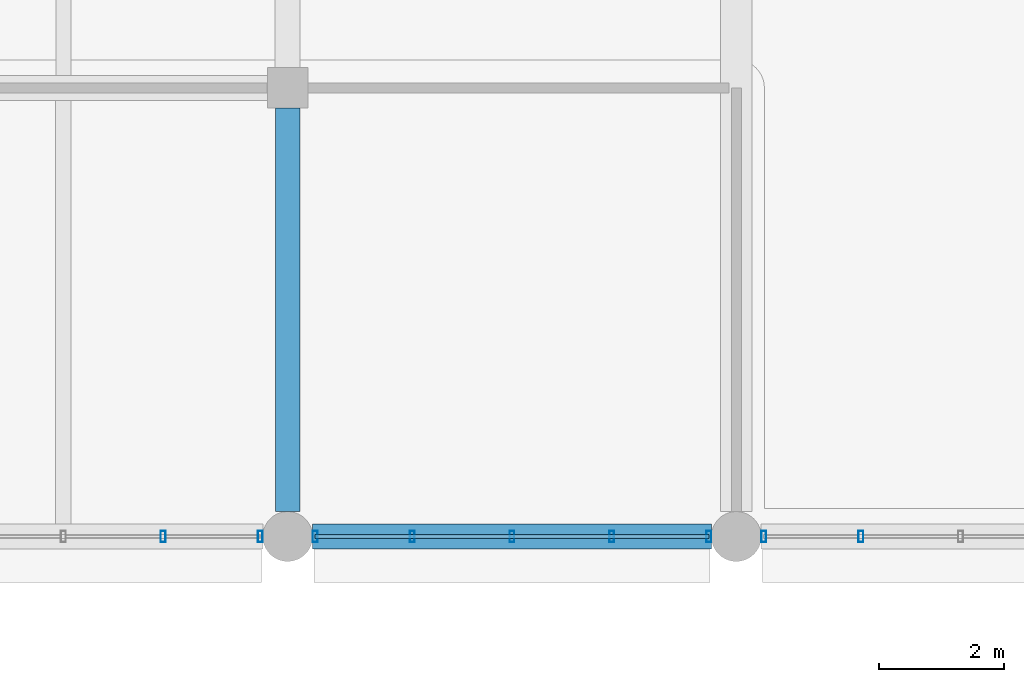
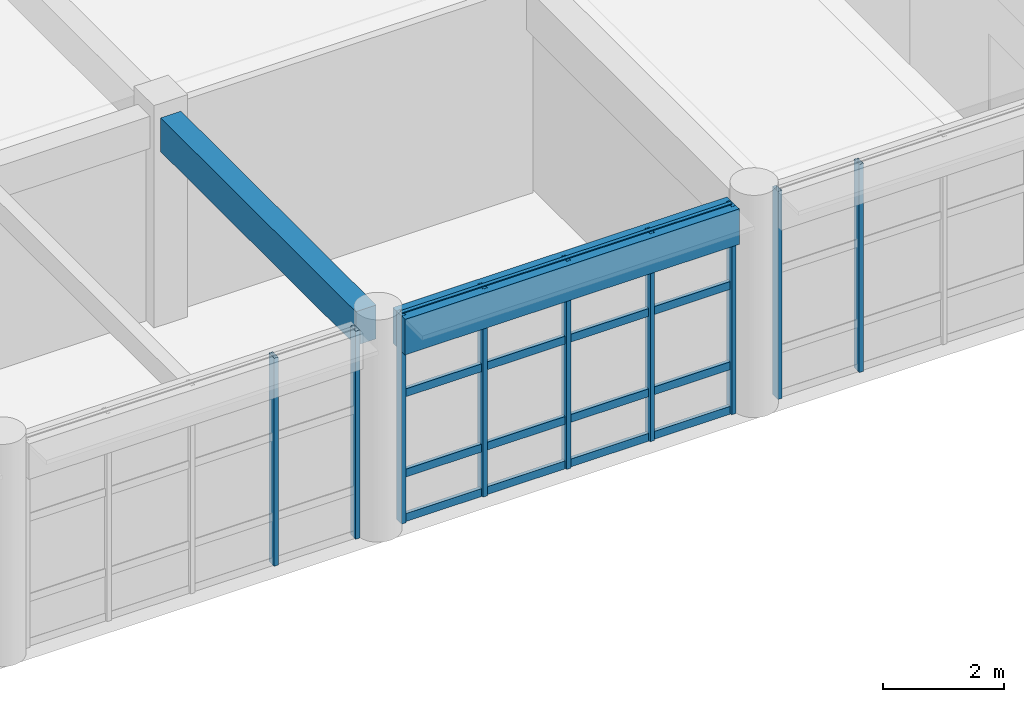
# One storey, part 28 of 171: 13 members, 2 beams, 3 elements without a shape of their own.
"""IFC4 building model written with IfcOpenShell, lengths in metres."""

from ifc_helpers import new_model, si_unit, direction, frame, origin, origin_2d, place, context, subcontext, project, spatial, rectangle, hollow_rectangle, extrude, material, material_profile, profile_set, type_object, element, aggregate, save


model = new_model("IFC4")

# Units and contexts
model_context = context("Model", 3, precision=1e-05, world=origin(), true_north=direction((0.0, 1.0)))
body_context = subcontext(model_context, "Body", "Model", "MODEL_VIEW")
ifc_project = project(units=[si_unit("LENGTHUNIT", "METRE"), si_unit("AREAUNIT", "SQUARE_METRE"), si_unit("VOLUMEUNIT", "CUBIC_METRE"), si_unit("PLANEANGLEUNIT", "RADIAN"), si_unit("MASSUNIT", "GRAM", prefix="KILO")], contexts=[model_context])

# Site, building, storey
site_placement = place(None, origin())
site = spatial("IfcSite", under=ifc_project, at=site_placement, CompositionType="ELEMENT")
building_placement = place(site_placement, origin())
building = spatial("IfcBuilding", under=site, at=building_placement, Name="Thalmaran Polytechnic", CompositionType="ELEMENT")
storey_placement = place(building_placement, frame((0.0, 0.0, 5.39990234375)))
storey = spatial("IfcBuildingStorey", under=building, at=storey_placement, Name="L01", CompositionType="ELEMENT", Elevation=5.39990234375)

# Beams
ifc_material_1 = material(Name="Concrete C40/50", Category="concrete")
ifc_material_profile_1 = material_profile(ifc_material_1, rectangle(XDim=0.389892578125, YDim=0.68505859375, at=origin_2d()), Name="RC 390x685")
ifc_profile_set_1 = profile_set([ifc_material_profile_1], Name="Concrete C40/50")
beam_type_1 = type_object("IfcBeamType", Name="BM-RC08", PredefinedType="BEAM", material=ifc_profile_set_1)
beam_1_placement = place(storey_placement, frame((50.39990234375, 50.800048828125, 3.86767578125), z_axis=(0.0, 1.0, 0.0), x_axis=(-1.0, 0.0, 0.0)))
element("IfcBeam", 1, at=beam_1_placement, inside=storey, type_object=beam_type_1, Name="Grid Beam B08 L01 Y(7,7)", PredefinedType="BEAM", context=body_context, shape_type="SweptSolid", body=[
    extrude(rectangle(XDim=0.389892578125, YDim=0.68505859375, at=origin_2d()), origin(), (0.0, 0.0, 1.0), 6.474853515625),
])
ifc_material_profile_2 = material_profile(ifc_material_1, rectangle(XDim=0.39990234375, YDim=0.719970703125, at=origin_2d()), Name="RC 400x720")
ifc_profile_set_2 = profile_set([ifc_material_profile_2], Name="Concrete C40/50")
beam_type_2 = type_object("IfcBeamType", Name="BM-SP01", PredefinedType="SPANDREL", material=ifc_profile_set_2)
beam_2_placement = place(storey_placement, frame((50.800048828125, 50.39990234375, 3.85009765625), z_axis=(1.0, 0.0, 0.0), x_axis=(0.0, 1.0, 0.0)))
element("IfcBeam", 2, at=beam_2_placement, inside=storey, type_object=beam_type_2, Name="Grid Beam SP01 L01 X(7,7)", PredefinedType="SPANDREL", context=body_context, shape_type="SweptSolid", body=[
    extrude(rectangle(XDim=0.39990234375, YDim=0.719970703125, at=origin_2d()), origin(), (0.0, 0.0, 1.0), 6.39990234375),
])

# Curtain wall, members
ifc_material_2 = material(Name="Aluminium 6063-T6", Category="aluminium")
curtain_wall_type = type_object("IfcCurtainWallType", Name="CW-SC01", PredefinedType="USERDEFINED", material=ifc_material_2)
curtain_wall_1_placement = place(storey_placement, origin())
curtain_wall_1 = element("IfcCurtainWall", 3, at=curtain_wall_1_placement, inside=storey, type_object=curtain_wall_type, Name="Curtain Wall CW-L01-152", ObjectType="STICK CURTAIN WALL", PredefinedType="USERDEFINED")
ifc_material_profile_3 = material_profile(ifc_material_2, hollow_rectangle(XDim=0.080078125, YDim=0.179931640625, WallThickness=0.0048828125, at=origin_2d()), Name="RHS 180x80x5.0")
ifc_profile_set_3 = profile_set([ifc_material_profile_3], Name="Aluminium 6063-T6")
member_type_1 = type_object("IfcMemberType", Name="CW-MUL1", PredefinedType="MULLION", material=ifc_profile_set_3)
member_1_placement = place(storey_placement, frame((59.60009765625, 50.39990234375, 0.0), z_axis=(0.0, 0.0, 1.0), x_axis=(1.0, 0.0, 0.0)))
member_1 = element("IfcMember", 4, at=member_1_placement, type_object=member_type_1, Name="CW-L01-152 Mullion 4", PredefinedType="MULLION", context=body_context, shape_type="SweptSolid", body=[
    extrude(hollow_rectangle(XDim=0.080078125, YDim=0.179931640625, WallThickness=0.0048828125, at=origin_2d()), origin(), (0.0, 0.0, 1.0), 4.210205078125),
])
member_2_placement = place(storey_placement, frame((58.0400390625, 50.39990234375, 0.0), z_axis=(0.0, 0.0, 1.0), x_axis=(1.0, 0.0, 0.0)))
member_2 = element("IfcMember", 5, at=member_2_placement, type_object=member_type_1, Name="CW-L01-152 Mullion 5", PredefinedType="MULLION", context=body_context, shape_type="SweptSolid", body=[
    extrude(hollow_rectangle(XDim=0.080078125, YDim=0.179931640625, WallThickness=0.0048828125, at=origin_2d()), origin(), (0.0, 0.0, 1.0), 4.210205078125),
])
aggregate(curtain_wall_1, [member_1, member_2])

curtain_wall_2_placement = place(storey_placement, origin())
curtain_wall_2 = element("IfcCurtainWall", 6, at=curtain_wall_2_placement, inside=storey, type_object=curtain_wall_type, Name="Curtain Wall CW-L01-153", ObjectType="STICK CURTAIN WALL", PredefinedType="USERDEFINED")
member_3_placement = place(storey_placement, frame((57.159912109375, 50.39990234375, 0.0), z_axis=(0.0, 0.0, 1.0), x_axis=(1.0, 0.0, 0.0)))
member_3 = element("IfcMember", 7, at=member_3_placement, type_object=member_type_1, Name="CW-L01-153 Mullion 1", PredefinedType="MULLION", context=body_context, shape_type="SweptSolid", body=[
    extrude(hollow_rectangle(XDim=0.080078125, YDim=0.179931640625, WallThickness=0.0048828125, at=origin_2d()), origin(), (0.0, 0.0, 1.0), 4.210205078125),
])
member_4_placement = place(storey_placement, frame((55.60009765625, 50.39990234375, 0.0), z_axis=(0.0, 0.0, 1.0), x_axis=(1.0, 0.0, 0.0)))
member_4 = element("IfcMember", 8, at=member_4_placement, type_object=member_type_1, Name="CW-L01-153 Mullion 2", PredefinedType="MULLION", context=body_context, shape_type="SweptSolid", body=[
    extrude(hollow_rectangle(XDim=0.080078125, YDim=0.179931640625, WallThickness=0.0048828125, at=origin_2d()), origin(), (0.0, 0.0, 1.0), 4.210205078125),
])
member_5_placement = place(storey_placement, frame((54.0, 50.39990234375, 0.0), z_axis=(0.0, 0.0, 1.0), x_axis=(1.0, 0.0, 0.0)))
member_5 = element("IfcMember", 9, at=member_5_placement, type_object=member_type_1, Name="CW-L01-153 Mullion 3", PredefinedType="MULLION", context=body_context, shape_type="SweptSolid", body=[
    extrude(hollow_rectangle(XDim=0.080078125, YDim=0.179931640625, WallThickness=0.0048828125, at=origin_2d()), origin(), (0.0, 0.0, 1.0), 4.210205078125),
])
member_6_placement = place(storey_placement, frame((52.39990234375, 50.39990234375, 0.0), z_axis=(0.0, 0.0, 1.0), x_axis=(1.0, 0.0, 0.0)))
member_6 = element("IfcMember", 10, at=member_6_placement, type_object=member_type_1, Name="CW-L01-153 Mullion 4", PredefinedType="MULLION", context=body_context, shape_type="SweptSolid", body=[
    extrude(hollow_rectangle(XDim=0.080078125, YDim=0.179931640625, WallThickness=0.0048828125, at=origin_2d()), origin(), (0.0, 0.0, 1.0), 4.210205078125),
])
member_7_placement = place(storey_placement, frame((50.840087890625, 50.39990234375, 0.0), z_axis=(0.0, 0.0, 1.0), x_axis=(1.0, 0.0, 0.0)))
member_7 = element("IfcMember", 11, at=member_7_placement, type_object=member_type_1, Name="CW-L01-153 Mullion 5", PredefinedType="MULLION", context=body_context, shape_type="SweptSolid", body=[
    extrude(hollow_rectangle(XDim=0.080078125, YDim=0.179931640625, WallThickness=0.0048828125, at=origin_2d()), origin(), (0.0, 0.0, 1.0), 4.210205078125),
])

curtain_wall_3_placement = place(storey_placement, origin())
curtain_wall_3 = element("IfcCurtainWall", 12, at=curtain_wall_3_placement, inside=storey, type_object=curtain_wall_type, Name="Curtain Wall CW-L01-154", ObjectType="STICK CURTAIN WALL", PredefinedType="USERDEFINED")
member_8_placement = place(storey_placement, frame((49.9599609375, 50.39990234375, 0.0), z_axis=(0.0, 0.0, 1.0), x_axis=(1.0, 0.0, 0.0)))
member_8 = element("IfcMember", 13, at=member_8_placement, type_object=member_type_1, Name="CW-L01-154 Mullion 1", PredefinedType="MULLION", context=body_context, shape_type="SweptSolid", body=[
    extrude(hollow_rectangle(XDim=0.080078125, YDim=0.179931640625, WallThickness=0.0048828125, at=origin_2d()), origin(), (0.0, 0.0, 1.0), 4.210205078125),
])
member_9_placement = place(storey_placement, frame((48.39990234375, 50.39990234375, 0.0), z_axis=(0.0, 0.0, 1.0), x_axis=(1.0, 0.0, 0.0)))
member_9 = element("IfcMember", 14, at=member_9_placement, type_object=member_type_1, Name="CW-L01-154 Mullion 2", PredefinedType="MULLION", context=body_context, shape_type="SweptSolid", body=[
    extrude(hollow_rectangle(XDim=0.080078125, YDim=0.179931640625, WallThickness=0.0048828125, at=origin_2d()), origin(), (0.0, 0.0, 1.0), 4.210205078125),
])
aggregate(curtain_wall_3, [member_8, member_9])

# Member
ifc_material_profile_4 = material_profile(ifc_material_2, hollow_rectangle(XDim=0.070068359375, YDim=0.159912109375, WallThickness=0.00390625, at=origin_2d()), Name="AL 160x70x4.0")
ifc_profile_set_4 = profile_set([ifc_material_profile_4], Name="Aluminium 6063-T6")
member_type_2 = type_object("IfcMemberType", Name="CW-TRN1", PredefinedType="USERDEFINED", material=ifc_profile_set_4)
member_10_placement = place(storey_placement, frame((57.159912109375, 50.39990234375, 0.06005859375), z_axis=(-1.0, 0.0, 0.0), x_axis=(0.0, -1.0, 0.0)))
member_10 = element("IfcMember", 15, at=member_10_placement, type_object=member_type_2, Name="CW-L01-153 Transom 1", ObjectType="TRANSOM", PredefinedType="USERDEFINED", context=body_context, shape_type="SweptSolid", body=[
    extrude(hollow_rectangle(XDim=0.070068359375, YDim=0.159912109375, WallThickness=0.00390625, at=origin_2d()), origin(), (0.0, 0.0, 1.0), 6.31982421875),
])

member_11_placement = place(storey_placement, frame((57.159912109375, 50.39990234375, 0.960205078125), z_axis=(-1.0, 0.0, 0.0), x_axis=(0.0, -1.0, 0.0)))
member_11 = element("IfcMember", 16, at=member_11_placement, type_object=member_type_2, Name="CW-L01-153 Transom 2", ObjectType="TRANSOM", PredefinedType="USERDEFINED", context=body_context, shape_type="SweptSolid", body=[
    extrude(hollow_rectangle(XDim=0.070068359375, YDim=0.159912109375, WallThickness=0.00390625, at=origin_2d()), origin(), (0.0, 0.0, 1.0), 6.31982421875),
])

member_12_placement = place(storey_placement, frame((57.159912109375, 50.39990234375, 2.585205078125), z_axis=(-1.0, 0.0, 0.0), x_axis=(0.0, -1.0, 0.0)))
member_12 = element("IfcMember", 17, at=member_12_placement, type_object=member_type_2, Name="CW-L01-153 Transom 3", ObjectType="TRANSOM", PredefinedType="USERDEFINED", context=body_context, shape_type="SweptSolid", body=[
    extrude(hollow_rectangle(XDim=0.070068359375, YDim=0.159912109375, WallThickness=0.00390625, at=origin_2d()), origin(), (0.0, 0.0, 1.0), 6.31982421875),
])

member_13_placement = place(storey_placement, frame((57.159912109375, 50.39990234375, 4.150146484375), z_axis=(-1.0, 0.0, 0.0), x_axis=(0.0, -1.0, 0.0)))
member_13 = element("IfcMember", 18, at=member_13_placement, type_object=member_type_2, Name="CW-L01-153 Transom 4", ObjectType="TRANSOM", PredefinedType="USERDEFINED", context=body_context, shape_type="SweptSolid", body=[
    extrude(hollow_rectangle(XDim=0.070068359375, YDim=0.159912109375, WallThickness=0.00390625, at=origin_2d()), origin(), (0.0, 0.0, 1.0), 6.31982421875),
])

aggregate(curtain_wall_2, [member_3, member_4, member_5, member_6, member_7, member_10, member_11, member_12, member_13])

save(model, "model.ifc")
